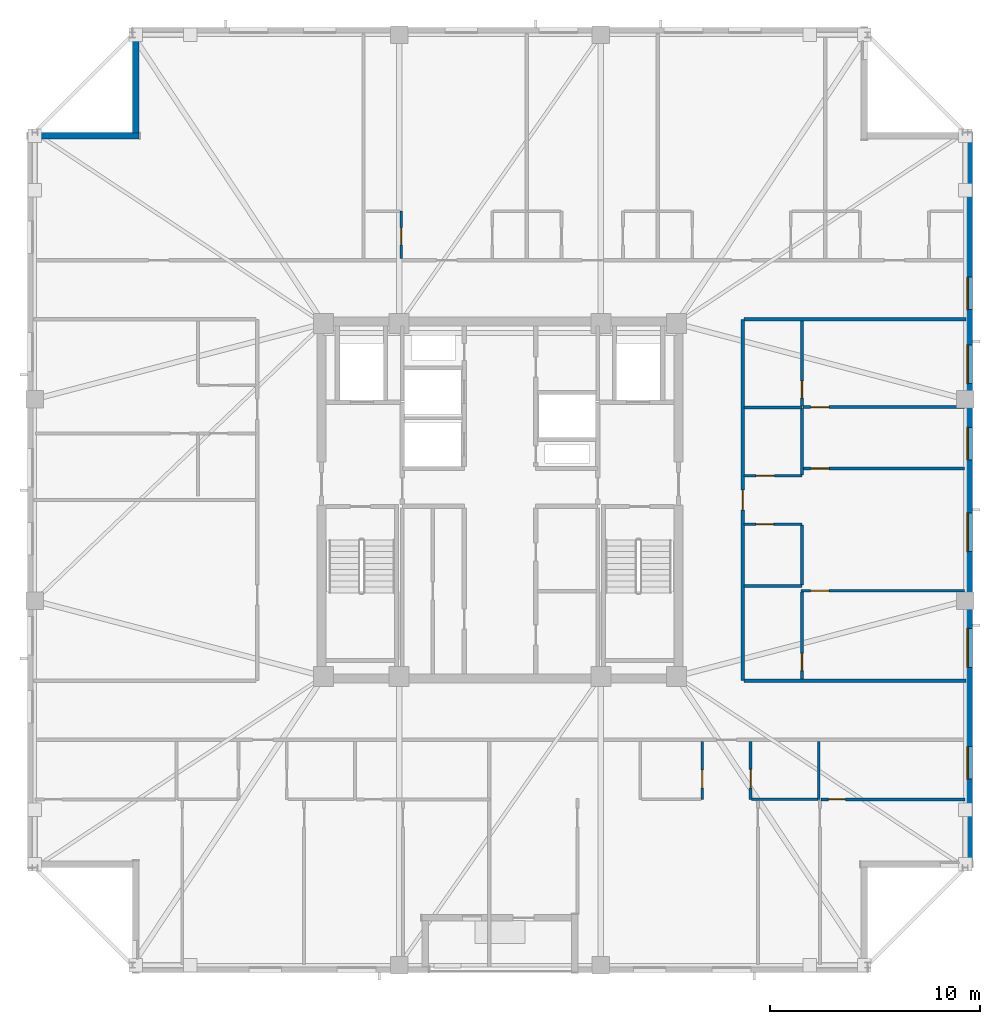
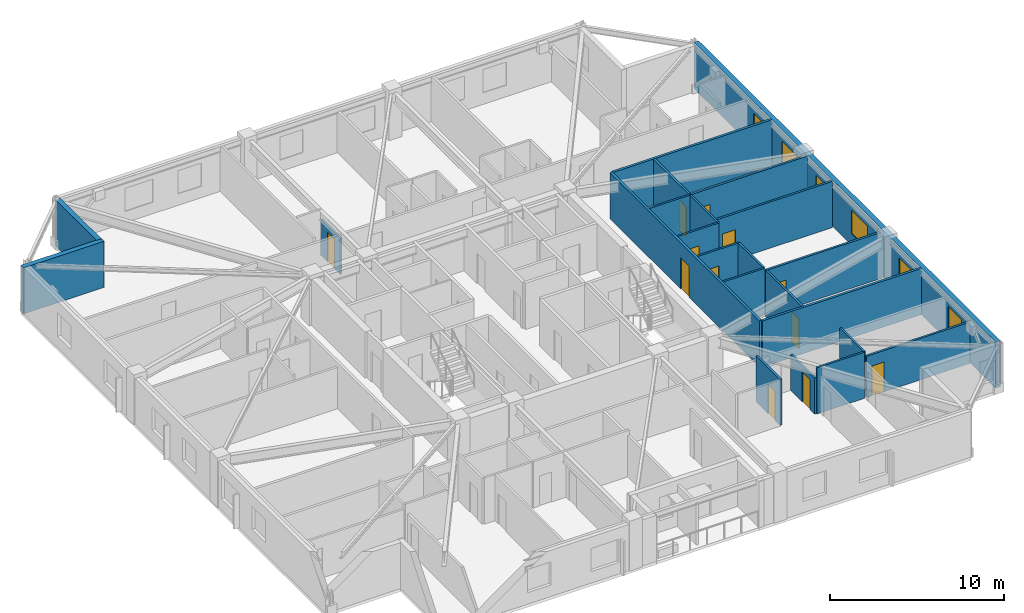
# One storey, part 10 of 17: 23 walls, 12 doors, 6 windows, 18 openings.
"""IFC4 building model written with IfcOpenShell, lengths in metres."""

from ifc_helpers import new_model, si_unit, direction, frame, frame_2d, origin, place, context, subcontext, project, spatial, rectangle, extrude, material, layer, layer_set, type_object, element, fill, save


model = new_model("IFC4")

# Units and contexts
model_context = context("Model", 3, precision=1e-05, world=origin(), true_north=direction((0.0, 1.0)))
body_context = subcontext(model_context, "Body", "Model", "MODEL_VIEW")
ifc_project = project(units=[si_unit("LENGTHUNIT", "METRE"), si_unit("AREAUNIT", "SQUARE_METRE"), si_unit("VOLUMEUNIT", "CUBIC_METRE"), si_unit("PLANEANGLEUNIT", "RADIAN"), si_unit("MASSUNIT", "GRAM", prefix="KILO")], contexts=[model_context])

# Site, building, storey
site_placement = place(None, origin())
site = spatial("IfcSite", under=ifc_project, at=site_placement, CompositionType="ELEMENT")
building_placement = place(site_placement, origin())
building = spatial("IfcBuilding", under=site, at=building_placement, Name="Cairnveth Concourse Tower", CompositionType="ELEMENT")
storey_placement = place(building_placement, frame((0.0, 0.0, 272.5)))
storey = spatial("IfcBuildingStorey", under=building, at=storey_placement, Name="L75", CompositionType="ELEMENT", Elevation=272.5)

# Wall, opening, door
ifc_material_1 = material(Name="Gypsum Plasterboard Partition", Category="gypsum")
ifc_layer_1 = layer(ifc_material_1, 0.159912109375)
ifc_layer_set_1 = layer_set([ifc_layer_1], Name="Gypsum Plasterboard Partition")
wall_type_1 = type_object("IfcWallType", Name="ACOUSTIC PARTY WALL 180", PredefinedType="PARTITIONING", material=ifc_layer_set_1)
wall_1_placement = place(storey_placement, frame((63.550048828125, 30.39990234375, 0.0), z_axis=(0.0, 0.0, 1.0), x_axis=(0.0, 1.0, 0.0)))
wall_1 = element("IfcWall", 1, at=wall_1_placement, inside=storey, type_object=wall_type_1, Name="Interior Wall IW-L75-038", PredefinedType="PARTITIONING", context=body_context, shape_type="SweptSolid", body=[
    extrude(rectangle(XDim=17.2001953125, YDim=0.159912109375, at=frame_2d((8.60009765625, 0.0))), origin(), (0.0, 0.0, 1.0), 3.239990234375),
])
opening_1_placement = place(wall_1_placement, frame((8.1201171875, 0.0, 0.0)))
opening_1 = element("IfcOpeningElement", 2, at=opening_1_placement, cuts=wall_1, Name="Opening ID10", PredefinedType="OPENING", context=body_context, shape_type="SweptSolid", body=[
    extrude(rectangle(XDim=0.9599609375, YDim=2.179931640625, at=frame_2d((0.47998046875, 1.08984375))), frame((0.0, 0.08984375, 0.0), z_axis=(0.0, -1.0, 0.0), x_axis=(1.0, 0.0, 0.0)), (0.0, 0.0, 1.0), 0.179931640625),
])
ifc_material_2 = material(Name="Solid Core Hardwood Timber Leaf", Category="wood")
door_type_1 = type_object("IfcDoorType", Name="FLAT ENTRANCE DOOR 960X2150", OperationType="NOTDEFINED", PredefinedType="DOOR", material=ifc_material_2)
door_1_placement = place(opening_1_placement, origin())
door_1 = element("IfcDoor", 3, at=door_1_placement, inside=storey, type_object=door_type_1, Name="Apartment L75E1 Entrance Door", OperationType="SINGLE_SWING_RIGHT", OverallHeight=2.179931640625, OverallWidth=0.9599609375, PredefinedType="DOOR", context=body_context, shape_type="SweptSolid", body=[
    extrude(rectangle(XDim=0.9599609375, YDim=2.179931640625, at=frame_2d((0.47998046875, 1.08984375))), frame((0.0, 0.02490234375, 0.0), z_axis=(0.0, -1.0, 0.0), x_axis=(1.0, 0.0, 0.0)), (0.0, 0.0, 1.0), 0.050048828125),
])
fill(opening_1, door_1)

# Walls
for number, where, z_axis, x_axis, name in (
    (4, (63.614990234375, 30.39990234375, 0.0), (0.0, 0.0, 1.0), (1.0, 0.0, 0.0), "Interior Wall IW-L75-041"),
    (5, (63.614990234375, 47.60009765625, 0.0), (0.0, 0.0, 1.0), (1.0, 0.0, 0.0), "Interior Wall IW-L75-042"),
):
    element("IfcWall", number, at=place(storey_placement, frame(where, z_axis=z_axis, x_axis=x_axis)), inside=storey, type_object=wall_type_1, Name=name, PredefinedType="PARTITIONING", context=body_context, shape_type="SweptSolid", body=[
        extrude(rectangle(XDim=10.580078125, YDim=0.159912109375, at=frame_2d((5.2900390625, 0.0))), origin(), (0.0, 0.0, 1.0), 3.239990234375),
    ])

# Wall, opening, door
ifc_layer_2 = layer(ifc_material_1, 0.139892578125)
ifc_layer_set_2 = layer_set([ifc_layer_2], Name="Gypsum Plasterboard Partition")
wall_type_2 = type_object("IfcWallType", Name="GYPSUM STUD PARTITION 140", PredefinedType="PARTITIONING", material=ifc_layer_set_2)
wall_2_placement = place(storey_placement, frame((67.284912109375, 24.74755859375, 0.0), z_axis=(0.0, 0.0, 1.0), x_axis=(1.0, 0.0, 0.0)))
wall_2 = element("IfcWall", 6, at=wall_2_placement, inside=storey, type_object=wall_type_2, Name="Interior Wall IW-L75-063", PredefinedType="PARTITIONING", context=body_context, shape_type="SweptSolid", body=[
    extrude(rectangle(XDim=6.844970703125, YDim=0.139892578125, at=frame_2d((3.42236328125, 0.0))), origin(), (0.0, 0.0, 1.0), 2.907958984375),
])
opening_2_placement = place(wall_2_placement, frame((0.344970703125, 0.0, 0.0)))
opening_2 = element("IfcOpeningElement", 7, at=opening_2_placement, cuts=wall_2, Name="Opening ID22", PredefinedType="OPENING", context=body_context, shape_type="SweptSolid", body=[
    extrude(rectangle(XDim=0.820068359375, YDim=2.10009765625, at=frame_2d((0.41015625, 1.050048828125))), frame((0.0, 0.079833984375, 0.0), z_axis=(0.0, -1.0, 0.0), x_axis=(1.0, 0.0, 0.0)), (0.0, 0.0, 1.0), 0.159912109375),
])
door_type_2 = type_object("IfcDoorType", Name="INTERIOR WC DOOR 820X2100", OperationType="NOTDEFINED", PredefinedType="DOOR", material=ifc_material_2)
door_2_placement = place(opening_2_placement, origin())
door_2 = element("IfcDoor", 8, at=door_2_placement, inside=storey, type_object=door_type_2, Name="L75S2 Utility Door", OperationType="SINGLE_SWING_LEFT", OverallHeight=2.10009765625, OverallWidth=0.820068359375, PredefinedType="DOOR", context=body_context, shape_type="SweptSolid", body=[
    extrude(rectangle(XDim=0.820068359375, YDim=2.10009765625, at=frame_2d((0.41015625, 1.050048828125))), frame((0.0, 0.02490234375, 0.0), z_axis=(0.0, -1.0, 0.0), x_axis=(1.0, 0.0, 0.0)), (0.0, 0.0, 1.0), 0.050048828125),
])
fill(opening_2, door_2)

wall_3_placement = place(storey_placement, frame((66.340087890625, 34.679931640625, 0.0), z_axis=(0.0, 0.0, 1.0), x_axis=(1.0, 0.0, 0.0)))
wall_3 = element("IfcWall", 9, at=wall_3_placement, inside=storey, type_object=wall_type_2, Name="Interior Wall IW-L75-097", PredefinedType="PARTITIONING", context=body_context, shape_type="SweptSolid", body=[
    extrude(rectangle(XDim=7.780029296875, YDim=0.139892578125, at=frame_2d((3.89013671875, 0.0))), origin(), (0.0, 0.0, 1.0), 3.239990234375),
])
opening_3_placement = place(wall_3_placement, frame((0.449951171875, 0.0, 0.0)))
opening_3 = element("IfcOpeningElement", 10, at=opening_3_placement, cuts=wall_3, Name="Opening ID18", PredefinedType="OPENING", context=body_context, shape_type="SweptSolid", body=[
    extrude(rectangle(XDim=0.8798828125, YDim=2.10009765625, at=frame_2d((0.43994140625, 1.050048828125))), frame((0.0, 0.079833984375, 0.0), z_axis=(0.0, -1.0, 0.0), x_axis=(1.0, 0.0, 0.0)), (0.0, 0.0, 1.0), 0.159912109375),
])
door_type_3 = type_object("IfcDoorType", Name="INTERIOR SINGLE DOOR 880X2100", OperationType="NOTDEFINED", PredefinedType="DOOR", material=ifc_material_2)
door_3_placement = place(opening_3_placement, origin())
door_3 = element("IfcDoor", 11, at=door_3_placement, inside=storey, type_object=door_type_3, Name="L75E1 Master Bedroom Door", OperationType="SINGLE_SWING_RIGHT", OverallHeight=2.10009765625, OverallWidth=0.8798828125, PredefinedType="DOOR", context=body_context, shape_type="SweptSolid", body=[
    extrude(rectangle(XDim=0.8798828125, YDim=2.10009765625, at=frame_2d((0.43994140625, 1.050048828125))), frame((0.0, 0.02490234375, 0.0), z_axis=(0.0, -1.0, 0.0), x_axis=(1.0, 0.0, 0.0)), (0.0, 0.0, 1.0), 0.050048828125),
])
fill(opening_3, door_3)

wall_4_placement = place(storey_placement, frame((66.3798828125, 30.465087890625, 0.0), z_axis=(0.0, 0.0, 1.0), x_axis=(0.0, 1.0, 0.0)))
wall_4 = element("IfcWall", 12, at=wall_4_placement, inside=storey, type_object=wall_type_2, Name="Interior Wall IW-L75-098", PredefinedType="PARTITIONING", context=body_context, shape_type="SweptSolid", body=[
    extrude(rectangle(XDim=4.159912109375, YDim=0.139892578125, at=frame_2d((2.080078125, 0.0))), origin(), (0.0, 0.0, 1.0), 3.239990234375),
])
opening_4_placement = place(wall_4_placement, frame((0.4150390625, 0.0, 0.0)))
opening_4 = element("IfcOpeningElement", 13, at=opening_4_placement, cuts=wall_4, Name="Opening ID22", PredefinedType="OPENING", context=body_context, shape_type="SweptSolid", body=[
    extrude(rectangle(XDim=0.820068359375, YDim=2.10009765625, at=frame_2d((0.41015625, 1.050048828125))), frame((0.0, 0.079833984375, 0.0), z_axis=(0.0, -1.0, 0.0), x_axis=(1.0, 0.0, 0.0)), (0.0, 0.0, 1.0), 0.159912109375),
])
door_4_placement = place(opening_4_placement, origin())
door_4 = element("IfcDoor", 14, at=door_4_placement, inside=storey, type_object=door_type_2, Name="L75E1 Dressing Door", OperationType="SINGLE_SWING_LEFT", OverallHeight=2.10009765625, OverallWidth=0.820068359375, PredefinedType="DOOR", context=body_context, shape_type="SweptSolid", body=[
    extrude(rectangle(XDim=0.820068359375, YDim=2.10009765625, at=frame_2d((0.41015625, 1.050048828125))), frame((0.0, 0.02490234375, 0.0), z_axis=(0.0, -1.0, 0.0), x_axis=(1.0, 0.0, 0.0)), (0.0, 0.0, 1.0), 0.050048828125),
])
fill(opening_4, door_4)

wall_5_placement = place(storey_placement, frame((66.429931640625, 43.419921875, 0.0), z_axis=(0.0, 0.0, 1.0), x_axis=(1.0, 0.0, 0.0)))
wall_5 = element("IfcWall", 15, at=wall_5_placement, inside=storey, type_object=wall_type_2, Name="Interior Wall IW-L75-099", PredefinedType="PARTITIONING", context=body_context, shape_type="SweptSolid", body=[
    extrude(rectangle(XDim=7.690185546875, YDim=0.139892578125, at=frame_2d((3.84521484375, 0.0))), origin(), (0.0, 0.0, 1.0), 3.239990234375),
])
opening_5_placement = place(wall_5_placement, frame((0.360107421875, 0.0, 0.0)))
opening_5 = element("IfcOpeningElement", 16, at=opening_5_placement, cuts=wall_5, Name="Opening ID18", PredefinedType="OPENING", context=body_context, shape_type="SweptSolid", body=[
    extrude(rectangle(XDim=0.8798828125, YDim=2.10009765625, at=frame_2d((0.43994140625, 1.050048828125))), frame((0.0, 0.079833984375, 0.0), z_axis=(0.0, -1.0, 0.0), x_axis=(1.0, 0.0, 0.0)), (0.0, 0.0, 1.0), 0.159912109375),
])
door_5_placement = place(opening_5_placement, origin())
door_5 = element("IfcDoor", 17, at=door_5_placement, inside=storey, type_object=door_type_3, Name="L75E1 Bedroom 2 Door", OperationType="SINGLE_SWING_RIGHT", OverallHeight=2.10009765625, OverallWidth=0.8798828125, PredefinedType="DOOR", context=body_context, shape_type="SweptSolid", body=[
    extrude(rectangle(XDim=0.8798828125, YDim=2.10009765625, at=frame_2d((0.43994140625, 1.050048828125))), frame((0.0, 0.02490234375, 0.0), z_axis=(0.0, -1.0, 0.0), x_axis=(1.0, 0.0, 0.0)), (0.0, 0.0, 1.0), 0.050048828125),
])
fill(opening_5, door_5)

wall_6_placement = place(storey_placement, frame((66.3798828125, 43.47509765625, 0.0), z_axis=(0.0, 0.0, 1.0), x_axis=(0.0, 1.0, 0.0)))
wall_6 = element("IfcWall", 18, at=wall_6_placement, inside=storey, type_object=wall_type_2, Name="Interior Wall IW-L75-100", PredefinedType="PARTITIONING", context=body_context, shape_type="SweptSolid", body=[
    extrude(rectangle(XDim=4.059814453125, YDim=0.139892578125, at=frame_2d((2.02978515625, 0.0))), origin(), (0.0, 0.0, 1.0), 3.239990234375),
])
opening_6_placement = place(wall_6_placement, frame((0.375, 0.0, 0.0)))
opening_6 = element("IfcOpeningElement", 19, at=opening_6_placement, cuts=wall_6, Name="Opening ID22", PredefinedType="OPENING", context=body_context, shape_type="SweptSolid", body=[
    extrude(rectangle(XDim=0.820068359375, YDim=2.10009765625, at=frame_2d((0.41015625, 1.050048828125))), frame((0.0, 0.079833984375, 0.0), z_axis=(0.0, -1.0, 0.0), x_axis=(1.0, 0.0, 0.0)), (0.0, 0.0, 1.0), 0.159912109375),
])
door_6_placement = place(opening_6_placement, origin())
door_6 = element("IfcDoor", 20, at=door_6_placement, inside=storey, type_object=door_type_2, Name="L75E1 Utility Door", OperationType="SINGLE_SWING_LEFT", OverallHeight=2.10009765625, OverallWidth=0.820068359375, PredefinedType="DOOR", context=body_context, shape_type="SweptSolid", body=[
    extrude(rectangle(XDim=0.820068359375, YDim=2.10009765625, at=frame_2d((0.41015625, 1.050048828125))), frame((0.0, 0.02490234375, 0.0), z_axis=(0.0, -1.0, 0.0), x_axis=(1.0, 0.0, 0.0)), (0.0, 0.0, 1.0), 0.050048828125),
])
fill(opening_6, door_6)

wall_7_placement = place(storey_placement, frame((66.429931640625, 40.5, 0.0), z_axis=(0.0, 0.0, 1.0), x_axis=(1.0, 0.0, 0.0)))
wall_7 = element("IfcWall", 21, at=wall_7_placement, inside=storey, type_object=wall_type_2, Name="Interior Wall IW-L75-101", PredefinedType="PARTITIONING", context=body_context, shape_type="SweptSolid", body=[
    extrude(rectangle(XDim=7.690185546875, YDim=0.139892578125, at=frame_2d((3.84521484375, 0.0))), origin(), (0.0, 0.0, 1.0), 3.239990234375),
])
opening_7_placement = place(wall_7_placement, frame((0.360107421875, 0.0, 0.0)))
opening_7 = element("IfcOpeningElement", 22, at=opening_7_placement, cuts=wall_7, Name="Opening ID18", PredefinedType="OPENING", context=body_context, shape_type="SweptSolid", body=[
    extrude(rectangle(XDim=0.8798828125, YDim=2.10009765625, at=frame_2d((0.43994140625, 1.050048828125))), frame((0.0, 0.079833984375, 0.0), z_axis=(0.0, -1.0, 0.0), x_axis=(1.0, 0.0, 0.0)), (0.0, 0.0, 1.0), 0.159912109375),
])
door_7_placement = place(opening_7_placement, origin())
door_7 = element("IfcDoor", 23, at=door_7_placement, inside=storey, type_object=door_type_3, Name="L75E1 Media Lounge Door", OperationType="SINGLE_SWING_LEFT", OverallHeight=2.10009765625, OverallWidth=0.8798828125, PredefinedType="DOOR", context=body_context, shape_type="SweptSolid", body=[
    extrude(rectangle(XDim=0.8798828125, YDim=2.10009765625, at=frame_2d((0.43994140625, 1.050048828125))), frame((0.0, 0.02490234375, 0.0), z_axis=(0.0, -1.0, 0.0), x_axis=(1.0, 0.0, 0.0)), (0.0, 0.0, 1.0), 0.050048828125),
])
fill(opening_7, door_7)

ifc_layer_3 = layer(ifc_material_1, 0.1298828125)
ifc_layer_set_3 = layer_set([ifc_layer_3], Name="Gypsum Plasterboard Partition")
wall_type_3 = type_object("IfcWallType", Name="WET AREA PARTITION 140", PredefinedType="PLUMBINGWALL", material=ifc_layer_set_3)
wall_8_placement = place(storey_placement, frame((61.6298828125, 24.74755859375, 0.0), z_axis=(0.0, 0.0, 1.0), x_axis=(0.0, 1.0, 0.0)))
wall_8 = element("IfcWall", 24, at=wall_8_placement, inside=storey, type_object=wall_type_3, Name="Interior Wall IW-L75-056", PredefinedType="PLUMBINGWALL", context=body_context, shape_type="SweptSolid", body=[
    extrude(rectangle(XDim=2.75, YDim=0.1298828125, at=frame_2d((1.375, 0.0))), origin(), (0.0, 0.0, 1.0), 3.239990234375),
])
opening_8_placement = place(wall_8_placement, frame((0.550048828125, 0.0, 0.0)))
opening_8 = element("IfcOpeningElement", 25, at=opening_8_placement, cuts=wall_8, Name="Opening ID21", PredefinedType="OPENING", context=body_context, shape_type="SweptSolid", body=[
    extrude(rectangle(XDim=0.85009765625, YDim=2.080078125, at=frame_2d((0.425048828125, 1.0400390625))), frame((0.0, 0.074951171875, 0.0), z_axis=(0.0, -1.0, 0.0), x_axis=(1.0, 0.0, 0.0)), (0.0, 0.0, 1.0), 0.14990234375),
])
door_type_4 = type_object("IfcDoorType", Name="INTERIOR WC DOOR 850X2100", OperationType="NOTDEFINED", PredefinedType="DOOR", material=ifc_material_2)
door_8_placement = place(opening_8_placement, origin())
door_8 = element("IfcDoor", 26, at=door_8_placement, inside=storey, type_object=door_type_4, Name="L75S2 Bathroom Door", OperationType="SINGLE_SWING_RIGHT", OverallHeight=2.080078125, OverallWidth=0.85009765625, PredefinedType="DOOR", context=body_context, shape_type="SweptSolid", body=[
    extrude(rectangle(XDim=0.85009765625, YDim=2.080078125, at=frame_2d((0.425048828125, 1.0400390625))), frame((0.0, 0.02490234375, 0.0), z_axis=(0.0, -1.0, 0.0), x_axis=(1.0, 0.0, 0.0)), (0.0, 0.0, 1.0), 0.050048828125),
])
fill(opening_8, door_8)

# Wall
wall_9_placement = place(storey_placement, frame((67.179931640625, 24.74755859375, 0.0), z_axis=(0.0, 0.0, 1.0), x_axis=(0.0, 1.0, 0.0)))
element("IfcWall", 27, at=wall_9_placement, inside=storey, type_object=wall_type_3, Name="Interior Wall IW-L75-058", PredefinedType="PLUMBINGWALL", context=body_context, shape_type="SweptSolid", body=[
    extrude(rectangle(XDim=2.75, YDim=0.1298828125, at=frame_2d((1.375, 0.0))), origin(), (0.0, 0.0, 1.0), 3.239990234375),
])

# Wall, opening, door
wall_10_placement = place(storey_placement, frame((63.929931640625, 24.74755859375, 0.0), z_axis=(0.0, 0.0, 1.0), x_axis=(0.0, 1.0, 0.0)))
wall_10 = element("IfcWall", 28, at=wall_10_placement, inside=storey, type_object=wall_type_3, Name="Interior Wall IW-L75-059", PredefinedType="PLUMBINGWALL", context=body_context, shape_type="SweptSolid", body=[
    extrude(rectangle(XDim=2.75, YDim=0.1298828125, at=frame_2d((1.375, 0.0))), origin(), (0.0, 0.0, 1.0), 2.52294921875),
])
opening_9_placement = place(wall_10_placement, frame((0.550048828125, 0.0, 0.0)))
opening_9 = element("IfcOpeningElement", 29, at=opening_9_placement, cuts=wall_10, Name="Opening ID18", PredefinedType="OPENING", context=body_context, shape_type="SweptSolid", body=[
    extrude(rectangle(XDim=0.8798828125, YDim=2.10009765625, at=frame_2d((0.43994140625, 1.050048828125))), frame((0.0, 0.074951171875, 0.0), z_axis=(0.0, -1.0, 0.0), x_axis=(1.0, 0.0, 0.0)), (0.0, 0.0, 1.0), 0.14990234375),
])
door_9_placement = place(opening_9_placement, origin())
door_9 = element("IfcDoor", 30, at=door_9_placement, inside=storey, type_object=door_type_3, Name="L75S2 Kitchen Door", OperationType="SINGLE_SWING_LEFT", OverallHeight=2.10009765625, OverallWidth=0.8798828125, PredefinedType="DOOR", context=body_context, shape_type="SweptSolid", body=[
    extrude(rectangle(XDim=0.8798828125, YDim=2.10009765625, at=frame_2d((0.43994140625, 1.050048828125))), frame((0.0, 0.02490234375, 0.0), z_axis=(0.0, -1.0, 0.0), x_axis=(1.0, 0.0, 0.0)), (0.0, 0.0, 1.0), 0.050048828125),
])
fill(opening_9, door_9)

# Wall
wall_11_placement = place(storey_placement, frame((63.97998046875, 24.74755859375, 0.0), z_axis=(0.0, 0.0, 1.0), x_axis=(1.0, 0.0, 0.0)))
element("IfcWall", 31, at=wall_11_placement, inside=storey, type_object=wall_type_3, Name="Interior Wall IW-L75-060", PredefinedType="PLUMBINGWALL", context=body_context, shape_type="SweptSolid", body=[
    extrude(rectangle(XDim=3.14990234375, YDim=0.1298828125, at=frame_2d((1.574951171875, 0.0))), origin(), (0.0, 0.0, 1.0), 3.239990234375),
])

# Wall, opening, door
wall_12_placement = place(storey_placement, frame((47.300048828125, 50.50244140625, 0.0), z_axis=(0.0, 0.0, 1.0), x_axis=(0.0, 1.0, 0.0)))
wall_12 = element("IfcWall", 32, at=wall_12_placement, inside=storey, type_object=wall_type_3, Name="Interior Wall IW-L75-066", PredefinedType="PLUMBINGWALL", context=body_context, shape_type="SweptSolid", body=[
    extrude(rectangle(XDim=2.25, YDim=0.1298828125, at=frame_2d((1.125, 0.0))), origin(), (0.0, 0.0, 1.0), 2.52294921875),
])
opening_10_placement = place(wall_12_placement, frame((0.64990234375, 0.0, 0.0)))
opening_10 = element("IfcOpeningElement", 33, at=opening_10_placement, cuts=wall_12, Name="Opening ID22", PredefinedType="OPENING", context=body_context, shape_type="SweptSolid", body=[
    extrude(rectangle(XDim=0.820068359375, YDim=2.10009765625, at=frame_2d((0.41015625, 1.050048828125))), frame((0.0, 0.074951171875, 0.0), z_axis=(0.0, -1.0, 0.0), x_axis=(1.0, 0.0, 0.0)), (0.0, 0.0, 1.0), 0.14990234375),
])
door_10_placement = place(opening_10_placement, origin())
door_10 = element("IfcDoor", 34, at=door_10_placement, inside=storey, type_object=door_type_2, Name="L75STN1 Bathroom Door", OperationType="SINGLE_SWING_RIGHT", OverallHeight=2.10009765625, OverallWidth=0.820068359375, PredefinedType="DOOR", context=body_context, shape_type="SweptSolid", body=[
    extrude(rectangle(XDim=0.820068359375, YDim=2.10009765625, at=frame_2d((0.41015625, 1.050048828125))), frame((0.0, 0.02490234375, 0.0), z_axis=(0.0, -1.0, 0.0), x_axis=(1.0, 0.0, 0.0)), (0.0, 0.0, 1.0), 0.050048828125),
])
fill(opening_10, door_10)

# Wall
wall_13_placement = place(storey_placement, frame((63.6298828125, 34.89990234375, 0.0), z_axis=(0.0, 0.0, 1.0), x_axis=(1.0, 0.0, 0.0)))
element("IfcWall", 35, at=wall_13_placement, inside=storey, type_object=wall_type_3, Name="Interior Wall IW-L75-091", PredefinedType="PLUMBINGWALL", context=body_context, shape_type="SweptSolid", body=[
    extrude(rectangle(XDim=2.75, YDim=0.1298828125, at=frame_2d((1.375, 0.0))), origin(), (0.0, 0.0, 1.0), 3.239990234375),
])

# Wall, opening, door
wall_14_placement = place(storey_placement, frame((63.6298828125, 37.85009765625, 0.0), z_axis=(0.0, 0.0, 1.0), x_axis=(1.0, 0.0, 0.0)))
wall_14 = element("IfcWall", 36, at=wall_14_placement, inside=storey, type_object=wall_type_3, Name="Interior Wall IW-L75-092", PredefinedType="PLUMBINGWALL", context=body_context, shape_type="SweptSolid", body=[
    extrude(rectangle(XDim=2.75, YDim=0.1298828125, at=frame_2d((1.375, 0.0))), origin(), (0.0, 0.0, 1.0), 3.239990234375),
])
opening_11_placement = place(wall_14_placement, frame((0.550048828125, 0.0, 0.0)))
opening_11 = element("IfcOpeningElement", 37, at=opening_11_placement, cuts=wall_14, Name="Opening ID21", PredefinedType="OPENING", context=body_context, shape_type="SweptSolid", body=[
    extrude(rectangle(XDim=0.85009765625, YDim=2.080078125, at=frame_2d((0.425048828125, 1.0400390625))), frame((0.0, 0.074951171875, 0.0), z_axis=(0.0, -1.0, 0.0), x_axis=(1.0, 0.0, 0.0)), (0.0, 0.0, 1.0), 0.14990234375),
])
door_11_placement = place(opening_11_placement, origin())
door_11 = element("IfcDoor", 38, at=door_11_placement, inside=storey, type_object=door_type_4, Name="L75E1 Bathroom Door", OperationType="SINGLE_SWING_LEFT", OverallHeight=2.080078125, OverallWidth=0.85009765625, PredefinedType="DOOR", context=body_context, shape_type="SweptSolid", body=[
    extrude(rectangle(XDim=0.85009765625, YDim=2.080078125, at=frame_2d((0.425048828125, 1.0400390625))), frame((0.0, 0.02490234375, 0.0), z_axis=(0.0, -1.0, 0.0), x_axis=(1.0, 0.0, 0.0)), (0.0, 0.0, 1.0), 0.050048828125),
])
fill(opening_11, door_11)

# Walls
wall_15_placement = place(storey_placement, frame((66.3798828125, 34.949951171875, 0.0), z_axis=(0.0, 0.0, 1.0), x_axis=(0.0, 1.0, 0.0)))
element("IfcWall", 39, at=wall_15_placement, inside=storey, type_object=wall_type_3, Name="Interior Wall IW-L75-093", PredefinedType="PLUMBINGWALL", context=body_context, shape_type="SweptSolid", body=[
    extrude(rectangle(XDim=2.85009765625, YDim=0.1298828125, at=frame_2d((1.425048828125, 0.0))), origin(), (0.0, 0.0, 1.0), 3.239990234375),
])
wall_16_placement = place(storey_placement, frame((63.6298828125, 43.39990234375, 0.0), z_axis=(0.0, 0.0, 1.0), x_axis=(1.0, 0.0, 0.0)))
element("IfcWall", 40, at=wall_16_placement, inside=storey, type_object=wall_type_3, Name="Interior Wall IW-L75-094", PredefinedType="PLUMBINGWALL", context=body_context, shape_type="SweptSolid", body=[
    extrude(rectangle(XDim=2.75, YDim=0.1298828125, at=frame_2d((1.375, 0.0))), origin(), (0.0, 0.0, 1.0), 3.239990234375),
])

# Wall, opening, door
wall_17_placement = place(storey_placement, frame((63.6298828125, 40.14990234375, 0.0), z_axis=(0.0, 0.0, 1.0), x_axis=(1.0, 0.0, 0.0)))
wall_17 = element("IfcWall", 41, at=wall_17_placement, inside=storey, type_object=wall_type_3, Name="Interior Wall IW-L75-095", PredefinedType="PLUMBINGWALL", context=body_context, shape_type="SweptSolid", body=[
    extrude(rectangle(XDim=2.75, YDim=0.1298828125, at=frame_2d((1.375, 0.0))), origin(), (0.0, 0.0, 1.0), 3.239990234375),
])
opening_12_placement = place(wall_17_placement, frame((0.550048828125, 0.0, 0.0)))
opening_12 = element("IfcOpeningElement", 42, at=opening_12_placement, cuts=wall_17, Name="Opening ID18", PredefinedType="OPENING", context=body_context, shape_type="SweptSolid", body=[
    extrude(rectangle(XDim=0.8798828125, YDim=2.10009765625, at=frame_2d((0.43994140625, 1.050048828125))), frame((0.0, 0.074951171875, 0.0), z_axis=(0.0, -1.0, 0.0), x_axis=(1.0, 0.0, 0.0)), (0.0, 0.0, 1.0), 0.14990234375),
])
door_12_placement = place(opening_12_placement, origin())
door_12 = element("IfcDoor", 43, at=door_12_placement, inside=storey, type_object=door_type_3, Name="L75E1 Kitchen Door", OperationType="SINGLE_SWING_RIGHT", OverallHeight=2.10009765625, OverallWidth=0.8798828125, PredefinedType="DOOR", context=body_context, shape_type="SweptSolid", body=[
    extrude(rectangle(XDim=0.8798828125, YDim=2.10009765625, at=frame_2d((0.43994140625, 1.050048828125))), frame((0.0, 0.02490234375, 0.0), z_axis=(0.0, -1.0, 0.0), x_axis=(1.0, 0.0, 0.0)), (0.0, 0.0, 1.0), 0.050048828125),
])
fill(opening_12, door_12)

# Walls
wall_18_placement = place(storey_placement, frame((66.3798828125, 40.199951171875, 0.0), z_axis=(0.0, 0.0, 1.0), x_axis=(0.0, 1.0, 0.0)))
element("IfcWall", 44, at=wall_18_placement, inside=storey, type_object=wall_type_3, Name="Interior Wall IW-L75-096", PredefinedType="PLUMBINGWALL", context=body_context, shape_type="SweptSolid", body=[
    extrude(rectangle(XDim=3.150146484375, YDim=0.1298828125, at=frame_2d((1.5751953125, 0.0))), origin(), (0.0, 0.0, 1.0), 3.239990234375),
])
ifc_material_3 = material(Name="Melbourne Buff Fired Clay Brick Masonry", Category="masonry")
ifc_layer_4 = layer(ifc_material_3, 0.320068359375)
ifc_layer_set_4 = layer_set([ifc_layer_4], Name="Melbourne Buff Fired Clay Brick Masonry")
wall_type_4 = type_object("IfcWallType", Name="ZONE 3 BRICK PIER SPANDREL WALL 320", PredefinedType="SOLIDWALL", material=ifc_layer_set_4)
wall_19_placement = place(storey_placement, frame((29.5, 56.340087890625, 0.0), z_axis=(0.0, 0.0, 1.0), x_axis=(1.0, 0.0, 0.0)))
element("IfcWall", 45, at=wall_19_placement, inside=storey, type_object=wall_type_4, Name="Exterior Wall EW-L75-S04", PredefinedType="SOLIDWALL", context=body_context, shape_type="SweptSolid", body=[
    extrude(rectangle(XDim=5.320068359375, YDim=0.320068359375, at=frame_2d((2.66015625, 0.0))), origin(), (0.0, 0.0, 1.0), 3.239990234375),
])
wall_20_placement = place(storey_placement, frame((34.659912109375, 56.47802734375, 0.0), z_axis=(0.0, 0.0, 1.0), x_axis=(0.0, 1.0, 0.0)))
element("IfcWall", 46, at=wall_20_placement, inside=storey, type_object=wall_type_4, Name="Exterior Wall EW-L75-S05", PredefinedType="SOLIDWALL", context=body_context, shape_type="SweptSolid", body=[
    extrude(rectangle(XDim=4.723876953125, YDim=0.320068359375, at=frame_2d((2.36181640625, 0.0))), origin(), (0.0, 0.0, 1.0), 3.239990234375),
])

# Wall, openings, windows
wall_21_placement = place(storey_placement, frame((74.340087890625, 56.5, 0.0), z_axis=(0.0, 0.0, 1.0), x_axis=(0.0, -1.0, 0.0)))
wall_21 = element("IfcWall", 47, at=wall_21_placement, inside=storey, type_object=wall_type_4, Name="Exterior Wall EW-L75-S09", PredefinedType="SOLIDWALL", context=body_context, shape_type="SweptSolid", body=[
    extrude(rectangle(XDim=34.701904296875, YDim=0.320068359375, at=frame_2d((17.35107421875, 0.0))), origin(), (0.0, 0.0, 1.0), 3.239990234375),
])
opening_13_placement = place(wall_21_placement, frame((6.887939453125, 0.0, 0.800048828125)))
opening_13 = element("IfcOpeningElement", 48, at=opening_13_placement, cuts=wall_21, Name="Opening W07", PredefinedType="OPENING", context=body_context, shape_type="SweptSolid", body=[
    extrude(rectangle(XDim=1.550048828125, YDim=1.6279296875, at=frame_2d((0.77490234375, 0.81396484375))), frame((0.0, 0.169921875, 0.0), z_axis=(0.0, -1.0, 0.0), x_axis=(1.0, 0.0, 0.0)), (0.0, 0.0, 1.0), 0.340087890625),
])
opening_14_placement = place(wall_21_placement, frame((10.113037109375, 0.0, 0.800048828125)))
opening_14 = element("IfcOpeningElement", 49, at=opening_14_placement, cuts=wall_21, Name="Opening W08", PredefinedType="OPENING", context=body_context, shape_type="SweptSolid", body=[
    extrude(rectangle(XDim=1.85009765625, YDim=1.6279296875, at=frame_2d((0.925048828125, 0.81396484375))), frame((0.0, 0.169921875, 0.0), z_axis=(0.0, -1.0, 0.0), x_axis=(1.0, 0.0, 0.0)), (0.0, 0.0, 1.0), 0.340087890625),
])
opening_15_placement = place(wall_21_placement, frame((14.038330078125, 0.0, 0.800048828125)))
opening_15 = element("IfcOpeningElement", 50, at=opening_15_placement, cuts=wall_21, Name="Opening W07", PredefinedType="OPENING", context=body_context, shape_type="SweptSolid", body=[
    extrude(rectangle(XDim=1.550048828125, YDim=1.6279296875, at=frame_2d((0.77490234375, 0.81396484375))), frame((0.0, 0.169921875, 0.0), z_axis=(0.0, -1.0, 0.0), x_axis=(1.0, 0.0, 0.0)), (0.0, 0.0, 1.0), 0.340087890625),
])
opening_16_placement = place(wall_21_placement, frame((18.113525390625, 0.0, 0.800048828125)))
opening_16 = element("IfcOpeningElement", 51, at=opening_16_placement, cuts=wall_21, Name="Opening W08", PredefinedType="OPENING", context=body_context, shape_type="SweptSolid", body=[
    extrude(rectangle(XDim=1.85009765625, YDim=1.6279296875, at=frame_2d((0.925048828125, 0.81396484375))), frame((0.0, 0.169921875, 0.0), z_axis=(0.0, -1.0, 0.0), x_axis=(1.0, 0.0, 0.0)), (0.0, 0.0, 1.0), 0.340087890625),
])
opening_17_placement = place(wall_21_placement, frame((23.614013671875, 0.0, 0.800048828125)))
opening_17 = element("IfcOpeningElement", 52, at=opening_17_placement, cuts=wall_21, Name="Opening W08", PredefinedType="OPENING", context=body_context, shape_type="SweptSolid", body=[
    extrude(rectangle(XDim=1.85009765625, YDim=1.6279296875, at=frame_2d((0.925048828125, 0.81396484375))), frame((0.0, 0.169921875, 0.0), z_axis=(0.0, -1.0, 0.0), x_axis=(1.0, 0.0, 0.0)), (0.0, 0.0, 1.0), 0.340087890625),
])
opening_18_placement = place(wall_21_placement, frame((29.239501953125, 0.0, 0.800048828125)))
opening_18 = element("IfcOpeningElement", 53, at=opening_18_placement, cuts=wall_21, Name="Opening W07", PredefinedType="OPENING", context=body_context, shape_type="SweptSolid", body=[
    extrude(rectangle(XDim=1.550048828125, YDim=1.6279296875, at=frame_2d((0.77490234375, 0.81396484375))), frame((0.0, 0.169921875, 0.0), z_axis=(0.0, -1.0, 0.0), x_axis=(1.0, 0.0, 0.0)), (0.0, 0.0, 1.0), 0.340087890625),
])
ifc_material_4 = material(Name="Double Glazed Low-E Clear Glass", Category="glass")
window_type_1 = type_object("IfcWindowType", Name="DEEP-SET APARTMENT LIVING WINDOW 1850X1850", PartitioningType="DOUBLE_PANEL_VERTICAL", PredefinedType="WINDOW", material=ifc_material_4)
window_1_placement = place(opening_14_placement, origin())
window_1 = element("IfcWindow", 54, at=window_1_placement, inside=storey, type_object=window_type_1, Name="Gothic Lancet Window L75-9-3", OverallHeight=1.6279296875, OverallWidth=1.85009765625, PartitioningType="SINGLE_PANEL", PredefinedType="WINDOW", context=body_context, shape_type="SweptSolid", body=[
    extrude(rectangle(XDim=1.85009765625, YDim=1.6279296875, at=frame_2d((0.925048828125, 0.81396484375))), frame((0.0, -0.050048828125, 0.0), z_axis=(0.0, -1.0, 0.0), x_axis=(1.0, 0.0, 0.0)), (0.0, 0.0, 1.0), 0.06005859375),
])
fill(opening_14, window_1)
window_2_placement = place(opening_16_placement, origin())
window_2 = element("IfcWindow", 55, at=window_2_placement, inside=storey, type_object=window_type_1, Name="Gothic Lancet Window L75-9-5", OverallHeight=1.6279296875, OverallWidth=1.85009765625, PartitioningType="SINGLE_PANEL", PredefinedType="WINDOW", context=body_context, shape_type="SweptSolid", body=[
    extrude(rectangle(XDim=1.85009765625, YDim=1.6279296875, at=frame_2d((0.925048828125, 0.81396484375))), frame((0.0, -0.050048828125, 0.0), z_axis=(0.0, -1.0, 0.0), x_axis=(1.0, 0.0, 0.0)), (0.0, 0.0, 1.0), 0.06005859375),
])
fill(opening_16, window_2)
window_3_placement = place(opening_17_placement, origin())
window_3 = element("IfcWindow", 56, at=window_3_placement, inside=storey, type_object=window_type_1, Name="Gothic Lancet Window L75-9-7", OverallHeight=1.6279296875, OverallWidth=1.85009765625, PartitioningType="SINGLE_PANEL", PredefinedType="WINDOW", context=body_context, shape_type="SweptSolid", body=[
    extrude(rectangle(XDim=1.85009765625, YDim=1.6279296875, at=frame_2d((0.925048828125, 0.81396484375))), frame((0.0, -0.050048828125, 0.0), z_axis=(0.0, -1.0, 0.0), x_axis=(1.0, 0.0, 0.0)), (0.0, 0.0, 1.0), 0.06005859375),
])
fill(opening_17, window_3)
window_type_2 = type_object("IfcWindowType", Name="DEEP-SET APARTMENT WINDOW 1550X1800", PartitioningType="DOUBLE_PANEL_VERTICAL", PredefinedType="WINDOW", material=ifc_material_4)
window_4_placement = place(opening_13_placement, origin())
window_4 = element("IfcWindow", 57, at=window_4_placement, inside=storey, type_object=window_type_2, Name="Gothic Lancet Window L75-9-2", OverallHeight=1.6279296875, OverallWidth=1.550048828125, PartitioningType="SINGLE_PANEL", PredefinedType="WINDOW", context=body_context, shape_type="SweptSolid", body=[
    extrude(rectangle(XDim=1.550048828125, YDim=1.6279296875, at=frame_2d((0.77490234375, 0.81396484375))), frame((0.0, -0.050048828125, 0.0), z_axis=(0.0, -1.0, 0.0), x_axis=(1.0, 0.0, 0.0)), (0.0, 0.0, 1.0), 0.06005859375),
])
fill(opening_13, window_4)
window_5_placement = place(opening_15_placement, origin())
window_5 = element("IfcWindow", 58, at=window_5_placement, inside=storey, type_object=window_type_2, Name="Gothic Lancet Window L75-9-4", OverallHeight=1.6279296875, OverallWidth=1.550048828125, PartitioningType="SINGLE_PANEL", PredefinedType="WINDOW", context=body_context, shape_type="SweptSolid", body=[
    extrude(rectangle(XDim=1.550048828125, YDim=1.6279296875, at=frame_2d((0.77490234375, 0.81396484375))), frame((0.0, -0.050048828125, 0.0), z_axis=(0.0, -1.0, 0.0), x_axis=(1.0, 0.0, 0.0)), (0.0, 0.0, 1.0), 0.06005859375),
])
fill(opening_15, window_5)
window_6_placement = place(opening_18_placement, origin())
window_6 = element("IfcWindow", 59, at=window_6_placement, inside=storey, type_object=window_type_2, Name="Gothic Lancet Window L75-9-8", OverallHeight=1.6279296875, OverallWidth=1.550048828125, PartitioningType="SINGLE_PANEL", PredefinedType="WINDOW", context=body_context, shape_type="SweptSolid", body=[
    extrude(rectangle(XDim=1.550048828125, YDim=1.6279296875, at=frame_2d((0.77490234375, 0.81396484375))), frame((0.0, -0.050048828125, 0.0), z_axis=(0.0, -1.0, 0.0), x_axis=(1.0, 0.0, 0.0)), (0.0, 0.0, 1.0), 0.06005859375),
])
fill(opening_18, window_6)

save(model, "model.ifc")
